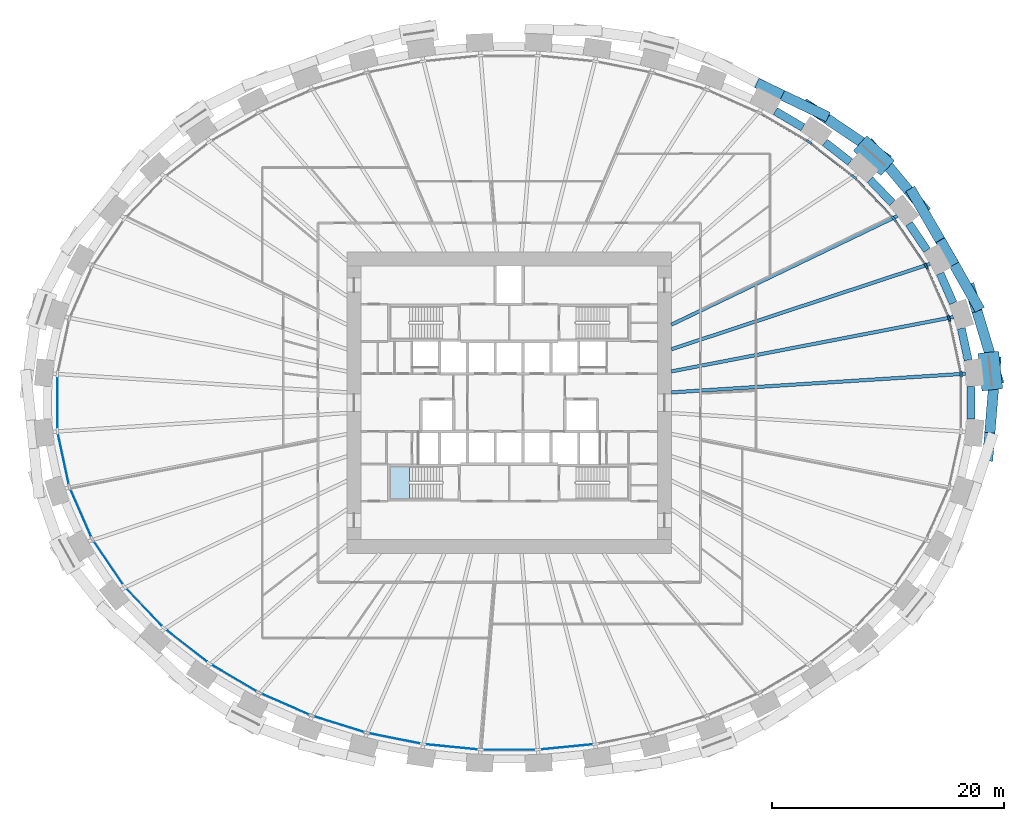
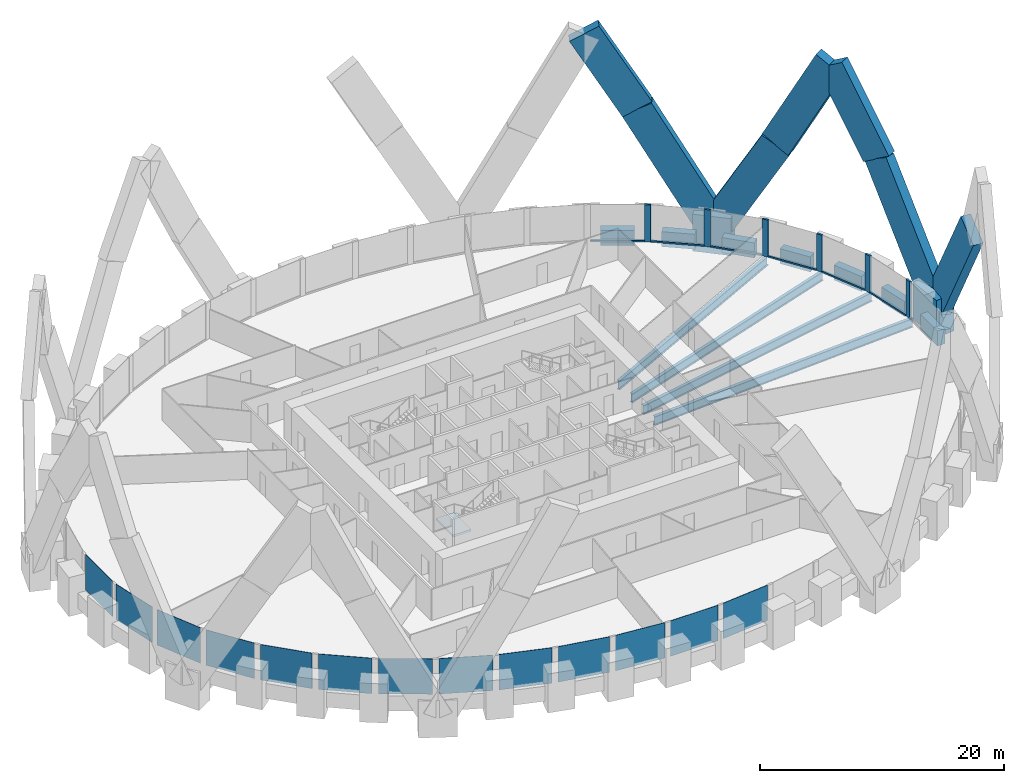
# One storey, part 5 of 13: 21 members, 13 plates, 11 beams, 1 slab, 2 elements without a shape of their own.
"""IFC4 building model written with IfcOpenShell, lengths in metres."""

import ifcopenshell
import ifcopenshell.guid

model = None  # the IFC model being written
_history = None  # IfcOwnerHistory: only IFC2X3 demands one
_inside = {}  # id of a spatial element -> (the spatial element, [elements in it])
_under = {}  # id of a project, library or spatial element -> (it, [spatial elements below it])
_declared = {}  # id of a project -> (the project, [libraries it declares])
_typed = {}  # id of a type object -> (the type object, [elements of that type])
_made_of = {}  # id of a material, layer set ... -> (it, [elements and type objects made of it])


def new_model(schema):
    """Start an empty IFC model of exactly this schema.

    Asked for "IFC4X3", IfcOpenShell would pick the latest addendum, in which some entities
    have other attributes; the version numbers below select the first issue.
    IFC2X3 requires an IfcOwnerHistory on every rooted entity: one is made here for all.
    """
    global model, _history
    if schema == "IFC4X3":
        model = ifcopenshell.file(schema_version=(4, 3, 0, 0))
    else:
        model = ifcopenshell.file(schema=schema)
    _inside.clear()
    _under.clear()
    _declared.clear()
    _typed.clear()
    _made_of.clear()
    _history = None
    if model.schema == "IFC2X3":
        org = make("IfcOrganization", Name="unknown")
        user = make(
            "IfcPersonAndOrganization",
            ThePerson=make("IfcPerson", FamilyName="unknown"),
            TheOrganization=org,
        )
        app = make(
            "IfcApplication",
            ApplicationDeveloper=org,
            Version="unknown",
            ApplicationFullName="unknown",
            ApplicationIdentifier="unknown",
        )
        _history = make(
            "IfcOwnerHistory",
            OwningUser=user,
            OwningApplication=app,
            ChangeAction="ADDED",
            CreationDate=0,
        )
    return model


def make(cls, **values):
    """One entity of the class cls with the attributes given. An attribute that is None is left unset."""
    return model.create_entity(
        cls, **{name: value for name, value in values.items() if value is not None}
    )


def rooted(cls, **values):
    """An entity with a GlobalId (a new one), such as an element, a storey or a relation."""
    return make(cls, GlobalId=ifcopenshell.guid.new(), OwnerHistory=_history, **values)


def si_unit(unit_type, name, prefix=None):
    """IfcSIUnit, for example si_unit("LENGTHUNIT", "METRE", prefix="MILLI")."""
    return make("IfcSIUnit", UnitType=unit_type, Prefix=prefix, Name=name)


def assignment(units):
    """IfcUnitAssignment: the units of a project."""
    return None if units is None else make("IfcUnitAssignment", Units=units)


def point(xyz):
    """IfcCartesianPoint."""
    return None if xyz is None else make("IfcCartesianPoint", Coordinates=xyz)


def direction(xyz):
    """IfcDirection."""
    return None if xyz is None else make("IfcDirection", DirectionRatios=xyz)


def frame(location, z_axis=None, x_axis=None):
    """IfcAxis2Placement3D, a coordinate frame: its origin and axes. An axis left out is left unset."""
    return make(
        "IfcAxis2Placement3D",
        Location=point(location),
        Axis=direction(z_axis),
        RefDirection=direction(x_axis),
    )


def frame_2d(location, x_axis=None):
    """IfcAxis2Placement2D, a coordinate frame in the plane: its origin and x axis."""
    return make(
        "IfcAxis2Placement2D", Location=point(location), RefDirection=direction(x_axis)
    )


def origin():
    """The frame at (0, 0, 0) with its axes left unset."""
    return frame((0.0, 0.0, 0.0))


def origin_2d():
    """The frame at (0, 0) in the plane with its x axis left unset."""
    return frame_2d((0.0, 0.0))


def place(relative_to, where):
    """IfcLocalPlacement: puts the frame where relative to a parent placement (None: the world)."""
    return make(
        "IfcLocalPlacement", PlacementRelTo=relative_to, RelativePlacement=where
    )


def context(
    kind, dimensions, precision=None, world=None, true_north=None, identifier=None
):
    """IfcGeometricRepresentationContext, for example the 3D "Model" context."""
    return make(
        "IfcGeometricRepresentationContext",
        ContextIdentifier=identifier,
        ContextType=kind,
        CoordinateSpaceDimension=dimensions,
        Precision=precision,
        WorldCoordinateSystem=world,
        TrueNorth=true_north,
    )


def subcontext(parent, identifier, kind, view, scale=None):
    """IfcGeometricRepresentationSubContext, for example "Body" below "Model"."""
    return make(
        "IfcGeometricRepresentationSubContext",
        ContextIdentifier=identifier,
        ContextType=kind,
        ParentContext=parent,
        TargetScale=scale,
        TargetView=view,
    )


def project(units=None, contexts=None):
    """IfcProject with its units and contexts."""
    return rooted(
        "IfcProject",
        Name="project",
        RepresentationContexts=contexts,
        UnitsInContext=assignment(units),
    )


def spatial(cls, under=None, at=None, **own):
    """A site, building, storey or space (cls), placed at a placement, below another one or the project."""
    s = rooted(cls, ObjectPlacement=at, **own)
    if under is not None:
        _under.setdefault(under.id(), (under, []))[1].append(s)
    return s


def polyline(points):
    """IfcPolyline through the points."""
    return make("IfcPolyline", Points=[point(p) for p in points])


def profile(cls, at=None, kind="AREA", **sizes):
    """A parametric profile (cls). Its sizes go by their IFC names, for example OverallWidth=200.0."""
    return make(cls, ProfileType=kind, Position=at, **sizes)


def rectangle(**sizes):
    """IfcRectangleProfileDef."""
    return profile("IfcRectangleProfileDef", **sizes)


def i_section(**sizes):
    """IfcIShapeProfileDef."""
    return profile("IfcIShapeProfileDef", **sizes)


def outline(outer, holes=None, kind="AREA"):
    """IfcArbitraryClosedProfileDef: a profile drawn as a closed curve; with holes, ...WithVoids."""
    if holes is None:
        return make("IfcArbitraryClosedProfileDef", ProfileType=kind, OuterCurve=outer)
    return make(
        "IfcArbitraryProfileDefWithVoids",
        ProfileType=kind,
        OuterCurve=outer,
        InnerCurves=holes,
    )


def extrude(swept, where, along, depth):
    """IfcExtrudedAreaSolid: the profile swept, set in the frame where, extruded along a direction by depth."""
    return make(
        "IfcExtrudedAreaSolid",
        SweptArea=swept,
        Position=where,
        ExtrudedDirection=direction(along),
        Depth=depth,
    )


def shape(context_of_items, identifier, shape_type, items):
    """IfcShapeRepresentation: the items that make up one representation, for example the "Body"."""
    return make(
        "IfcShapeRepresentation",
        ContextOfItems=context_of_items,
        RepresentationIdentifier=identifier,
        RepresentationType=shape_type,
        Items=items,
    )


def source(mapping_origin, context_of_items, identifier, shape_type, items):
    """IfcRepresentationMap: a shape defined once, which mapped items show again and again."""
    return make(
        "IfcRepresentationMap",
        MappingOrigin=mapping_origin,
        MappedRepresentation=shape(context_of_items, identifier, shape_type, items),
    )


def transform(
    local_origin,
    x_axis=None,
    y_axis=None,
    z_axis=None,
    scale=None,
    scale2=None,
    scale3=None,
    uniform=True,
):
    """IfcCartesianTransformationOperator3D, or its non-uniform kind. x_axis, y_axis, z_axis: its Axis1, 2, 3."""
    if uniform:
        return make(
            "IfcCartesianTransformationOperator3D",
            Axis1=direction(x_axis),
            Axis2=direction(y_axis),
            LocalOrigin=point(local_origin),
            Scale=scale,
            Axis3=direction(z_axis),
        )
    return make(
        "IfcCartesianTransformationOperator3DnonUniform",
        Axis1=direction(x_axis),
        Axis2=direction(y_axis),
        LocalOrigin=point(local_origin),
        Scale=scale,
        Axis3=direction(z_axis),
        Scale2=scale2,
        Scale3=scale3,
    )


def mapped(mapping_source, mapping_target):
    """IfcMappedItem: shows the shape of a source again, moved by a transform."""
    return make(
        "IfcMappedItem", MappingSource=mapping_source, MappingTarget=mapping_target
    )


def material(Name=None, Category=None):
    """IfcMaterial."""
    return make("IfcMaterial", Name=Name, Category=Category)


def layer(
    of_material, thickness, ventilated=None, Name=None, Category=None, Priority=None
):
    """IfcMaterialLayer: one layer of a wall or slab, of a material (None: an air gap)."""
    return make(
        "IfcMaterialLayer",
        Material=of_material,
        LayerThickness=thickness,
        IsVentilated=ventilated,
        Name=Name,
        Category=Category,
        Priority=Priority,
    )


def layer_set(layers, Name=None):
    """IfcMaterialLayerSet."""
    return make("IfcMaterialLayerSet", MaterialLayers=layers, LayerSetName=Name)


def material_profile(
    of_material, cross_section, Name=None, Category=None, Priority=None
):
    """IfcMaterialProfile: a cross section and its material."""
    return make(
        "IfcMaterialProfile",
        Name=Name,
        Material=of_material,
        Profile=cross_section,
        Priority=Priority,
        Category=Category,
    )


def profile_set(profiles, Name=None, composite=None):
    """IfcMaterialProfileSet."""
    return make(
        "IfcMaterialProfileSet",
        Name=Name,
        MaterialProfiles=profiles,
        CompositeProfile=composite,
    )


def made_of(thing, what):
    """Note that an element or type object is made of a material, layer set ...; save() writes the relation."""
    if what is not None:
        _made_of.setdefault(what.id(), (what, []))[1].append(thing)
    return thing


def type_object(cls, material=None, **own):
    """A type object (cls), such as IfcWallType, which elements share."""
    return made_of(rooted(cls, **own), material)


def element(
    cls,
    number,
    at=None,
    inside=None,
    cuts=None,
    type_object=None,
    material=None,
    context=None,
    identifier="Body",
    shape_type=None,
    held_by="IfcProductDefinitionShape",
    body=None,
    shapes=None,
    **own,
):
    """One element of the class cls, such as IfcWall. Its Tag is "e" and its number.

    at: its placement. inside: the storey or other place that contains it. cuts: it is an
    opening in that element (IfcRelVoidsElement). A single representation is given by context,
    identifier, shape_type and body (its items); several are given by shapes. held_by: the class
    of the entity that holds the representations. save() writes the other relations.
    """
    e = rooted(cls, Tag="e%d" % number, ObjectPlacement=at, **own)
    if body is not None:
        shapes = [shape(context, identifier, shape_type, body)]
    if shapes is not None:
        e.Representation = make(held_by, Representations=shapes)
    if inside is not None:
        _inside.setdefault(inside.id(), (inside, []))[1].append(e)
    if cuts is not None:
        rooted(
            "IfcRelVoidsElement", RelatingBuildingElement=cuts, RelatedOpeningElement=e
        )
    if type_object is not None:
        _typed.setdefault(type_object.id(), (type_object, []))[1].append(e)
    return made_of(e, material)


def aggregate(whole, parts):
    """IfcRelAggregates: a whole, such as a stair, and the parts it consists of."""
    return rooted("IfcRelAggregates", RelatingObject=whole, RelatedObjects=parts)


def save(model, path):
    """Write the relations noted so far, then the file.

    IfcRelAggregates (storeys below a building ...), IfcRelContainedInSpatialStructure (elements
    in a storey), IfcRelDefinesByType, IfcRelAssociatesMaterial and IfcRelDeclares: one each for
    every whole, place, type object, material and project.
    """
    for whole, parts in _under.values():
        aggregate(whole, parts)
    for where, things in _inside.values():
        rooted(
            "IfcRelContainedInSpatialStructure",
            RelatedElements=things,
            RelatingStructure=where,
        )
    for kind, things in _typed.values():
        rooted("IfcRelDefinesByType", RelatedObjects=things, RelatingType=kind)
    for what, things in _made_of.values():
        rooted("IfcRelAssociatesMaterial", RelatedObjects=things, RelatingMaterial=what)
    for by, libraries in _declared.values():
        rooted("IfcRelDeclares", RelatingContext=by, RelatedDefinitions=libraries)
    model.write(path)


model = new_model("IFC4")

# Units and contexts
model_context = context("Model", 3, precision=1e-05, world=origin(), true_north=direction((0.0, 1.0)))
body_context = subcontext(model_context, "Body", "Model", "MODEL_VIEW")
ifc_project = project(units=[si_unit("LENGTHUNIT", "METRE"), si_unit("AREAUNIT", "SQUARE_METRE"), si_unit("VOLUMEUNIT", "CUBIC_METRE"), si_unit("PLANEANGLEUNIT", "RADIAN"), si_unit("MASSUNIT", "GRAM", prefix="KILO")], contexts=[model_context])

# Site, building, storey
site_placement = place(None, origin())
site = spatial("IfcSite", under=ifc_project, at=site_placement, CompositionType="ELEMENT")
building_placement = place(site_placement, origin())
building = spatial("IfcBuilding", under=site, at=building_placement, Name="Embergate Tower", CompositionType="ELEMENT")
storey_placement = place(building_placement, frame((0.0, 0.0, 105.5)))
storey = spatial("IfcBuildingStorey", under=building, at=storey_placement, Name="L22", CompositionType="ELEMENT", Elevation=105.5)

# Beams
ifc_material_1 = material(Name="Concrete C70", Category="concrete")
ifc_material_profile_1 = material_profile(ifc_material_1, rectangle(XDim=0.699951171875, YDim=1.5, at=origin_2d()), Name="RC 700x1500")
ifc_profile_set_1 = profile_set([ifc_material_profile_1], Name="Concrete C70")
beam_type_1 = type_object("IfcBeamType", Name="Spandrel beam RC 700x1500 C70", PredefinedType="BEAM", material=ifc_profile_set_1)
shared_shape_1 = source(origin(), body_context, "Body", "SweptSolid", [
    extrude(rectangle(XDim=0.699951171875, YDim=1.5, at=origin_2d()), origin(), (0.0, 0.0, 1.0), 2.789306640625),
])
beam_1_placement = place(storey_placement, frame((39.60693359375, 3.68310546875, 0.0), z_axis=(-0.210419662527, 0.977611152566, 0.0), x_axis=(-0.977611152566, -0.210419662527, 0.0)))
element("IfcBeam", 1, at=beam_1_placement, inside=storey, type_object=beam_type_1, Name="SPN-L22-00", PredefinedType="BEAM", context=body_context, shape_type="MappedRepresentation", body=[
    mapped(shared_shape_1, transform((0.0, 0.0, 0.0))),
])
shared_shape_2 = source(origin(), body_context, "Body", "SweptSolid", [
    extrude(rectangle(XDim=0.699951171875, YDim=1.5, at=origin_2d()), origin(), (0.0, 0.0, 1.0), 2.78564453125),
])
beam_2_placement = place(storey_placement, frame((38.31201171875, 8.597900390625, 0.0), z_axis=(-0.401669232295, 0.915784815242, 0.0), x_axis=(-0.915784815242, -0.401669232295, 0.0)))
element("IfcBeam", 2, at=beam_2_placement, inside=storey, type_object=beam_type_1, Name="SPN-L22-01", PredefinedType="BEAM", context=body_context, shape_type="MappedRepresentation", body=[
    mapped(shared_shape_2, transform((0.0, 0.0, 0.0))),
])
shared_shape_3 = source(origin(), body_context, "Body", "SweptSolid", [
    extrude(rectangle(XDim=0.699951171875, YDim=1.5, at=origin_2d()), origin(), (0.0, 0.0, 1.0), 2.775634765625),
])
beam_3_placement = place(storey_placement, frame((36.06201171875, 13.152099609375, 0.0), z_axis=(-0.562430313872, 0.826844690397, 0.0), x_axis=(-0.826844690397, -0.562430313872, 0.0)))
element("IfcBeam", 3, at=beam_3_placement, inside=storey, type_object=beam_type_1, Name="SPN-L22-02", PredefinedType="BEAM", context=body_context, shape_type="MappedRepresentation", body=[
    mapped(shared_shape_3, transform((0.0, 0.0, 0.0))),
])
shared_shape_4 = source(origin(), body_context, "Body", "SweptSolid", [
    extrude(rectangle(XDim=0.699951171875, YDim=1.5, at=origin_2d()), origin(), (0.0, 0.0, 1.0), 2.770263671875),
])
beam_4_placement = place(storey_placement, frame((33.055908203125, 17.237060546875, 0.0), z_axis=(-0.690119345663, 0.723695577395, 0.0), x_axis=(-0.723695577395, -0.690119345663, 0.0)))
element("IfcBeam", 4, at=beam_4_placement, inside=storey, type_object=beam_type_1, Name="SPN-L22-03", PredefinedType="BEAM", context=body_context, shape_type="MappedRepresentation", body=[
    mapped(shared_shape_4, transform((0.0, 0.0, 0.0))),
])
shared_shape_5 = source(origin(), body_context, "Body", "SweptSolid", [
    extrude(rectangle(XDim=0.699951171875, YDim=1.5, at=origin_2d()), origin(), (0.0, 0.0, 1.0), 2.762939453125),
])
beam_5_placement = place(storey_placement, frame((29.426025390625, 20.77099609375, 0.0), z_axis=(-0.788304284462, 0.615285588242, 0.0), x_axis=(-0.615285588242, -0.788304284462, 0.0)))
element("IfcBeam", 5, at=beam_5_placement, inside=storey, type_object=beam_type_1, Name="SPN-L22-04", PredefinedType="BEAM", context=body_context, shape_type="MappedRepresentation", body=[
    mapped(shared_shape_5, transform((0.0, 0.0, 0.0))),
])
shared_shape_6 = source(origin(), body_context, "Body", "SweptSolid", [
    extrude(rectangle(XDim=0.699951171875, YDim=1.5, at=origin_2d()), origin(), (0.0, 0.0, 1.0), 2.758544921875),
])
beam_6_placement = place(storey_placement, frame((25.345947265625, 23.763916015625, 0.0), z_axis=(-0.862027482261, 0.506861539108, 0.0), x_axis=(-0.506861539108, -0.862027482261, 0.0)))
element("IfcBeam", 6, at=beam_6_placement, inside=storey, type_object=beam_type_1, Name="SPN-L22-05", PredefinedType="BEAM", context=body_context, shape_type="MappedRepresentation", body=[
    mapped(shared_shape_6, transform((0.0, 0.0, 0.0))),
])
shared_shape_7 = source(origin(), body_context, "Body", "SweptSolid", [
    extrude(rectangle(XDim=0.699951171875, YDim=1.5, at=origin_2d()), origin(), (0.0, 0.0, 1.0), 2.7919921875),
])
beam_7_placement = place(storey_placement, frame((39.85009765625, -1.39599609375, 0.0), z_axis=(0.0, 1.0, 0.0), x_axis=(-1.0, 0.0, 0.0)))
element("IfcBeam", 7, at=beam_7_placement, inside=storey, type_object=beam_type_1, Name="SPN-L22-43", PredefinedType="BEAM", context=body_context, shape_type="MappedRepresentation", body=[
    mapped(shared_shape_7, transform((0.0, 0.0, 0.0))),
])
ifc_material_2 = material(Name="Steel Q355B", Category="steel")
ifc_material_profile_2 = material_profile(ifc_material_2, i_section(OverallWidth=0.300048828125, OverallDepth=0.89990234375, WebThickness=0.01611328125, FlangeThickness=0.028076171875, FilletRadius=0.028076171875, at=origin_2d()), Name="HN 900x300x16x28")
ifc_profile_set_2 = profile_set([ifc_material_profile_2], Name="Steel Q355 grade B")
beam_type_2 = type_object("IfcBeamType", Name="Radial girder HN 900x300x16x28", PredefinedType="BEAM", material=ifc_profile_set_2)
shared_shape_8 = source(origin(), body_context, "Body", "SweptSolid", [
    extrude(i_section(OverallWidth=0.300048828125, OverallDepth=0.89990234375, WebThickness=0.01611328125, FlangeThickness=0.028076171875, FilletRadius=0.028076171875, at=origin_2d()), origin(), (0.0, 0.0, 1.0), 25.43115234375),
])
beam_8_placement = place(storey_placement, frame((39.3798828125, 2.501953125, -0.64990234375), z_axis=(-0.997986432318, -0.063427761344, 0.0), x_axis=(0.063427761344, -0.997986432318, 0.0)))
element("IfcBeam", 8, at=beam_8_placement, inside=storey, type_object=beam_type_2, Name="GIR-L22-00", PredefinedType="BEAM", context=body_context, shape_type="MappedRepresentation", body=[
    mapped(shared_shape_8, transform((0.0, 0.0, 0.0))),
])
shared_shape_9 = source(origin(), body_context, "Body", "SweptSolid", [
    extrude(i_section(OverallWidth=0.300048828125, OverallDepth=0.89990234375, WebThickness=0.01611328125, FlangeThickness=0.028076171875, FilletRadius=0.028076171875, at=origin_2d()), origin(), (0.0, 0.0, 1.0), 24.775390625),
])
beam_9_placement = place(storey_placement, frame((38.326904296875, 7.39404296875, -0.64990234375), z_axis=(-0.981895013442, -0.189425929, 0.0), x_axis=(0.189425929, -0.981895013442, 0.0)))
element("IfcBeam", 9, at=beam_9_placement, inside=storey, type_object=beam_type_2, Name="GIR-L22-01", PredefinedType="BEAM", context=body_context, shape_type="MappedRepresentation", body=[
    mapped(shared_shape_9, transform((0.0, 0.0, 0.0))),
])
shared_shape_10 = source(origin(), body_context, "Body", "SweptSolid", [
    extrude(i_section(OverallWidth=0.300048828125, OverallDepth=0.89990234375, WebThickness=0.01611328125, FlangeThickness=0.028076171875, FilletRadius=0.028076171875, at=origin_2d()), origin(), (0.0, 0.0, 1.0), 23.499267578125),
])
beam_10_placement = place(storey_placement, frame((36.31689453125, 11.97705078125, -0.64990234375), z_axis=(-0.949685213061, -0.31320599626, 0.0), x_axis=(0.31320599626, -0.949685213061, 0.0)))
element("IfcBeam", 10, at=beam_10_placement, inside=storey, type_object=beam_type_2, Name="GIR-L22-02", PredefinedType="BEAM", context=body_context, shape_type="MappedRepresentation", body=[
    mapped(shared_shape_10, transform((0.0, 0.0, 0.0))),
])
shared_shape_11 = source(origin(), body_context, "Body", "SweptSolid", [
    extrude(i_section(OverallWidth=0.300048828125, OverallDepth=0.89990234375, WebThickness=0.01611328125, FlangeThickness=0.028076171875, FilletRadius=0.028076171875, at=origin_2d()), origin(), (0.0, 0.0, 1.0), 21.641357421875),
])
beam_11_placement = place(storey_placement, frame((33.501953125, 16.116943359375, -0.64990234375), z_axis=(-0.901145989674, -0.433515749765, 0.0), x_axis=(0.433515749765, -0.901145989674, 0.0)))
element("IfcBeam", 11, at=beam_11_placement, inside=storey, type_object=beam_type_2, Name="GIR-L22-03", PredefinedType="BEAM", context=body_context, shape_type="MappedRepresentation", body=[
    mapped(shared_shape_11, transform((0.0, 0.0, 0.0))),
])

# Members
ifc_material_profile_3 = material_profile(ifc_material_1, rectangle(XDim=1.800048828125, YDim=3.25, at=origin_2d()), Name="RC 1800x3250")
ifc_profile_set_3 = profile_set([ifc_material_profile_3], Name="Concrete C70")
member_type_1 = type_object("IfcMemberType", Name="Lattice node block RC 1800x3250", PredefinedType="POST", material=ifc_profile_set_3)
shared_shape_12 = source(origin(), body_context, "Body", "SweptSolid", [
    extrude(rectangle(XDim=1.800048828125, YDim=3.25, at=origin_2d()), origin(), (0.0, 0.0, 1.0), 3.75),
])
member_1_placement = place(storey_placement, frame((41.51806640625, 2.73095703125, -1.875), z_axis=(0.0, 0.0, 1.0), x_axis=(0.99428589498, 0.106749983816, 0.0)))
element("IfcMember", 12, at=member_1_placement, inside=storey, type_object=member_type_1, Name="NOD-L22-00", PredefinedType="POST", context=body_context, shape_type="MappedRepresentation", body=[
    mapped(shared_shape_12, transform((0.0, 0.0, 0.0))),
])
ifc_material_profile_4 = material_profile(ifc_material_1, rectangle(XDim=1.75, YDim=3.199951171875, at=origin_2d()), Name="RC 1750x3200")
ifc_profile_set_4 = profile_set([ifc_material_profile_4], Name="Concrete C70")
member_type_2 = type_object("IfcMemberType", Name="Lattice node block RC 1750x3200", PredefinedType="POST", material=ifc_profile_set_4)
shared_shape_13 = source(origin(), body_context, "Body", "SweptSolid", [
    extrude(rectangle(XDim=1.75, YDim=3.199951171875, at=origin_2d()), origin(), (0.0, 0.0, 1.0), 3.7001953125),
])
member_2_placement = place(storey_placement, frame((31.468017578125, 21.320068359375, -1.85009765625), z_axis=(0.0, 0.0, 1.0), x_axis=(0.669221393633, 0.743063070206, 0.0)))
element("IfcMember", 13, at=member_2_placement, inside=storey, type_object=member_type_2, Name="NOD-L22-04", PredefinedType="POST", context=body_context, shape_type="MappedRepresentation", body=[
    mapped(shared_shape_13, transform((0.0, 0.0, 0.0))),
])
ifc_material_profile_5 = material_profile(ifc_material_1, rectangle(XDim=0.89990234375, YDim=2.800048828125, at=origin_2d()), Name="RC 900x2800")
ifc_profile_set_5 = profile_set([ifc_material_profile_5], Name="Concrete C70")
member_type_3 = type_object("IfcMemberType", Name="Lattice diagonal terracotta-faced RC 900x2800", PredefinedType="BRACE", material=ifc_profile_set_5)
shared_shape_14 = source(origin(), body_context, "Body", "SweptSolid", [
    extrude(rectangle(XDim=0.89990234375, YDim=2.800048828125, at=origin_2d()), origin(), (0.0, 0.0, 1.0), 13.423095703125),
])
member_3_placement = place(storey_placement, frame((41.9169921875, 2.77392578125, 0.0), z_axis=(-0.141540865362, 0.469274719508, 0.871634912715), x_axis=(-0.957399353067, -0.28876717048, 0.0)))
element("IfcMember", 14, at=member_3_placement, inside=storey, type_object=member_type_3, Name="BRC-L22-00-02-S00", PredefinedType="BRACE", context=body_context, shape_type="MappedRepresentation", body=[
    mapped(shared_shape_14, transform((0.0, 0.0, 0.0))),
])
shared_shape_15 = source(origin(), body_context, "Body", "SweptSolid", [
    extrude(rectangle(XDim=0.89990234375, YDim=2.800048828125, at=origin_2d()), origin(), (0.0, 0.0, 1.0), 8.994384765625),
])
member_4_placement = place(storey_placement, frame((40.01708984375, 9.072998046875, 11.699951171875), z_axis=(-0.245734713391, 0.433055519434, 0.867223943236), x_axis=(-0.869732083516, -0.493524166483, 0.0)))
element("IfcMember", 15, at=member_4_placement, inside=storey, type_object=member_type_3, Name="BRC-L22-00-02-S01", PredefinedType="BRACE", context=body_context, shape_type="MappedRepresentation", body=[
    mapped(shared_shape_15, transform((0.0, 0.0, 0.0))),
])
shared_shape_16 = source(origin(), body_context, "Body", "SweptSolid", [
    extrude(rectangle(XDim=0.89990234375, YDim=2.800048828125, at=origin_2d()), origin(), (0.0, 0.0, 1.0), 13.43701171875),
])
member_5_placement = place(storey_placement, frame((41.9169921875, 2.77392578125, 0.0), z_axis=(-0.040117655222, -0.49013309206, 0.870723909059), x_axis=(0.996666982925, -0.081577724581, 0.0)))
element("IfcMember", 16, at=member_5_placement, inside=storey, type_object=member_type_3, Name="BRC-L22-00-42-S00", PredefinedType="BRACE", context=body_context, shape_type="MappedRepresentation", body=[
    mapped(shared_shape_16, transform((0.0, 0.0, 0.0))),
])
shared_shape_17 = source(origin(), body_context, "Body", "SweptSolid", [
    extrude(rectangle(XDim=0.89990234375, YDim=2.800048828125, at=origin_2d()), origin(), (0.0, 0.0, 1.0), 11.18603515625),
])
member_6_placement = place(storey_placement, frame((31.719970703125, 21.60009765625, 0.0), z_axis=(0.314334026367, -0.376100815328, 0.871631973127), x_axis=(0.767300734971, 0.641287441101, 0.0)))
element("IfcMember", 17, at=member_6_placement, inside=storey, type_object=member_type_3, Name="BRC-L22-04-02-S00", PredefinedType="BRACE", context=body_context, shape_type="MappedRepresentation", body=[
    mapped(shared_shape_17, transform((0.0, 0.0, 0.0))),
])
shared_shape_18 = source(origin(), body_context, "Body", "SweptSolid", [
    extrude(rectangle(XDim=0.89990234375, YDim=2.800048828125, at=origin_2d()), origin(), (0.0, 0.0, 1.0), 11.011474609375),
])
member_7_placement = place(storey_placement, frame((35.236083984375, 17.39306640625, 9.75), z_axis=(0.233465622441, -0.401857968351, 0.885439990294), x_axis=(0.864668636216, 0.502342661482, 0.0)))
element("IfcMember", 18, at=member_7_placement, inside=storey, type_object=member_type_3, Name="BRC-L22-04-02-S01", PredefinedType="BRACE", context=body_context, shape_type="MappedRepresentation", body=[
    mapped(shared_shape_18, transform((0.0, 0.0, 0.0))),
])
shared_shape_19 = source(origin(), body_context, "Body", "SweptSolid", [
    extrude(rectangle(XDim=0.89990234375, YDim=2.800048828125, at=origin_2d()), origin(), (0.0, 0.0, 1.0), 13.3349609375),
])
member_8_placement = place(storey_placement, frame((31.719970703125, 21.60009765625, 0.0), z_axis=(-0.397530900382, 0.268602949363, 0.877394802147), x_axis=(-0.55985882748, -0.828588011797, 0.0)))
element("IfcMember", 19, at=member_8_placement, inside=storey, type_object=member_type_3, Name="BRC-L22-04-06-S00", PredefinedType="BRACE", context=body_context, shape_type="MappedRepresentation", body=[
    mapped(shared_shape_19, transform((0.0, 0.0, 0.0))),
])
shared_shape_20 = source(origin(), body_context, "Body", "SweptSolid", [
    extrude(rectangle(XDim=0.89990234375, YDim=2.800048828125, at=origin_2d()), origin(), (0.0, 0.0, 1.0), 8.942138671875),
])
member_9_placement = place(storey_placement, frame((26.4189453125, 25.181884765625, 11.699951171875), z_axis=(-0.441287119152, 0.210691870228, 0.872281270171), x_axis=(-0.430858769138, -0.902419370945, 0.0)))
element("IfcMember", 20, at=member_9_placement, inside=storey, type_object=member_type_3, Name="BRC-L22-04-06-S01", PredefinedType="BRACE", context=body_context, shape_type="MappedRepresentation", body=[
    mapped(shared_shape_20, transform((0.0, 0.0, 0.0))),
])

# Curtain wall, members, plates
ifc_material_3 = material(Name="Aluminium and glass", Category="aluminium")
curtain_wall_type = type_object("IfcCurtainWallType", Name="Recessed office glazing", PredefinedType="NOTDEFINED", material=ifc_material_3)
curtain_wall_placement = place(storey_placement, origin())
curtain_wall = element("IfcCurtainWall", 21, at=curtain_wall_placement, inside=storey, type_object=curtain_wall_type, Name="Recessed office glazing ring", ObjectType="RECESSED OFFICE GLAZING", PredefinedType="USERDEFINED")
ifc_material_4 = material(Name="Aluminium, thermally broken", Category="aluminium")
ifc_material_profile_6 = material_profile(ifc_material_4, rectangle(XDim=0.179931640625, YDim=0.52001953125, at=origin_2d()), Name="AL 520x180")
ifc_profile_set_6 = profile_set([ifc_material_profile_6], Name="Aluminium, thermally broken")
member_type_4 = type_object("IfcMemberType", Name="Office mullion", PredefinedType="MULLION", material=ifc_profile_set_6)
shared_shape_21 = source(origin(), body_context, "Body", "SweptSolid", [
    extrude(rectangle(XDim=0.179931640625, YDim=0.52001953125, at=origin_2d()), origin(), (0.0, 0.0, 1.0), 3.699951171875),
])
member_10_placement = place(storey_placement, frame((38.9921875, 2.4599609375, 0.0), z_axis=(0.0, 0.0, 1.0), x_axis=(-0.994385324123, -0.105819786286, 0.0)))
member_10 = element("IfcMember", 22, at=member_10_placement, type_object=member_type_4, Name="CW mullion 1", PredefinedType="MULLION", context=body_context, shape_type="MappedRepresentation", body=[
    mapped(shared_shape_21, transform((0.0, 0.0, 0.0))),
])
member_11_placement = place(storey_placement, frame((37.95654296875, 7.272705078125, 0.0), z_axis=(0.0, 0.0, 1.0), x_axis=(-0.951501556643, -0.307643930065, 0.0)))
member_11 = element("IfcMember", 23, at=member_11_placement, type_object=member_type_4, Name="CW mullion 2", PredefinedType="MULLION", context=body_context, shape_type="MappedRepresentation", body=[
    mapped(shared_shape_21, transform((0.0, 0.0, 0.0))),
])
member_12_placement = place(storey_placement, frame((35.9765625, 11.787353515625, 0.0), z_axis=(0.0, 0.0, 1.0), x_axis=(-0.875009500255, -0.484105747191, 0.0)))
member_12 = element("IfcMember", 24, at=member_12_placement, type_object=member_type_4, Name="CW mullion 3", PredefinedType="MULLION", context=body_context, shape_type="MappedRepresentation", body=[
    mapped(shared_shape_21, transform((0.0, 0.0, 0.0))),
])
member_13_placement = place(storey_placement, frame((33.19921875, 15.87109375, 0.0), z_axis=(0.0, 0.0, 1.0), x_axis=(-0.777883532271, -0.628408474022, 0.0)))
member_13 = element("IfcMember", 25, at=member_13_placement, type_object=member_type_4, Name="CW mullion 4", PredefinedType="MULLION", context=body_context, shape_type="MappedRepresentation", body=[
    mapped(shared_shape_21, transform((0.0, 0.0, 0.0))),
])
member_14_placement = place(storey_placement, frame((29.784912109375, 19.451416015625, 0.0), z_axis=(0.0, 0.0, 1.0), x_axis=(-0.671238177437, -0.741241734626, 0.0)))
member_14 = element("IfcMember", 26, at=member_14_placement, type_object=member_type_4, Name="CW mullion 5", PredefinedType="MULLION", context=body_context, shape_type="MappedRepresentation", body=[
    mapped(shared_shape_21, transform((0.0, 0.0, 0.0))),
])
member_15_placement = place(storey_placement, frame((25.87890625, 22.5, 0.0), z_axis=(0.0, 0.0, 1.0), x_axis=(-0.562227722082, -0.826982459622, 0.0)))
member_15 = element("IfcMember", 27, at=member_15_placement, type_object=member_type_4, Name="CW mullion 6", PredefinedType="MULLION", context=body_context, shape_type="MappedRepresentation", body=[
    mapped(shared_shape_21, transform((0.0, 0.0, 0.0))),
])
ifc_material_profile_7 = material_profile(ifc_material_4, rectangle(XDim=0.179931640625, YDim=0.14990234375, at=origin_2d()), Name="AL 150x180")
ifc_profile_set_7 = profile_set([ifc_material_profile_7], Name="Aluminium, thermally broken")
member_type_5 = type_object("IfcMemberType", Name="Office sill transom", PredefinedType="USERDEFINED", material=ifc_profile_set_7)
shared_shape_22 = source(origin(), body_context, "Body", "SweptSolid", [
    extrude(rectangle(XDim=0.179931640625, YDim=0.14990234375, at=origin_2d()), origin(), (0.0, 0.0, 1.0), 4.40283203125),
])
member_16_placement = place(storey_placement, frame((38.9375, 2.714111328125, 0.074951171875), z_axis=(-0.210384862648, 0.977618642196, 0.0), x_axis=(-0.977618642196, -0.210384862648, 0.0)))
member_16 = element("IfcMember", 28, at=member_16_placement, type_object=member_type_5, Name="CW transom 1.1", ObjectType="TRANSOM", PredefinedType="USERDEFINED", context=body_context, shape_type="MappedRepresentation", body=[
    mapped(shared_shape_22, transform((0.0, 0.0, 0.0))),
])
shared_shape_23 = source(origin(), body_context, "Body", "SweptSolid", [
    extrude(rectangle(XDim=0.179931640625, YDim=0.14990234375, at=origin_2d()), origin(), (0.0, 0.0, 1.0), 4.409912109375),
])
member_17_placement = place(storey_placement, frame((37.85205078125, 7.5107421875, 0.074951171875), z_axis=(-0.401649276601, 0.915793567681, 0.0), x_axis=(-0.915793567681, -0.401649276601, 0.0)))
member_17 = element("IfcMember", 29, at=member_17_placement, type_object=member_type_5, Name="CW transom 2.1", ObjectType="TRANSOM", PredefinedType="USERDEFINED", context=body_context, shape_type="MappedRepresentation", body=[
    mapped(shared_shape_23, transform((0.0, 0.0, 0.0))),
])
shared_shape_24 = source(origin(), body_context, "Body", "SweptSolid", [
    extrude(rectangle(XDim=0.179931640625, YDim=0.14990234375, at=origin_2d()), origin(), (0.0, 0.0, 1.0), 4.41845703125),
])
member_18_placement = place(storey_placement, frame((35.830078125, 12.002197265625, 0.074951171875), z_axis=(-0.562314555327, 0.826923418986, 0.0), x_axis=(-0.826923418986, -0.562314555327, 0.0)))
member_18 = element("IfcMember", 30, at=member_18_placement, type_object=member_type_5, Name="CW transom 3.1", ObjectType="TRANSOM", PredefinedType="USERDEFINED", context=body_context, shape_type="MappedRepresentation", body=[
    mapped(shared_shape_24, transform((0.0, 0.0, 0.0))),
])
shared_shape_25 = source(origin(), body_context, "Body", "SweptSolid", [
    extrude(rectangle(XDim=0.179931640625, YDim=0.14990234375, at=origin_2d()), origin(), (0.0, 0.0, 1.0), 4.42724609375),
])
member_19_placement = place(storey_placement, frame((33.019775390625, 16.059326171875, 0.074951171875), z_axis=(-0.690143848167, 0.723672210906, 0.0), x_axis=(-0.723672210906, -0.690143848167, 0.0)))
member_19 = element("IfcMember", 31, at=member_19_placement, type_object=member_type_5, Name="CW transom 4.1", ObjectType="TRANSOM", PredefinedType="USERDEFINED", context=body_context, shape_type="MappedRepresentation", body=[
    mapped(shared_shape_25, transform((0.0, 0.0, 0.0))),
])
shared_shape_26 = source(origin(), body_context, "Body", "SweptSolid", [
    extrude(rectangle(XDim=0.179931640625, YDim=0.14990234375, at=origin_2d()), origin(), (0.0, 0.0, 1.0), 4.434814453125),
])
member_20_placement = place(storey_placement, frame((29.580078125, 19.611572265625, 0.074951171875), z_axis=(-0.788331413259, 0.615250829231, 0.0), x_axis=(-0.615250829231, -0.788331413259, 0.0)))
member_20 = element("IfcMember", 32, at=member_20_placement, type_object=member_type_5, Name="CW transom 5.1", ObjectType="TRANSOM", PredefinedType="USERDEFINED", context=body_context, shape_type="MappedRepresentation", body=[
    mapped(shared_shape_26, transform((0.0, 0.0, 0.0))),
])
shared_shape_27 = source(origin(), body_context, "Body", "SweptSolid", [
    extrude(rectangle(XDim=0.179931640625, YDim=0.14990234375, at=origin_2d()), origin(), (0.0, 0.0, 1.0), 4.441162109375),
])
member_21_placement = place(storey_placement, frame((25.65478515625, 22.6318359375, 0.074951171875), z_axis=(-0.862033122062, 0.506851947287, 0.0), x_axis=(-0.506851947287, -0.862033122062, 0.0)))
member_21 = element("IfcMember", 33, at=member_21_placement, type_object=member_type_5, Name="CW transom 6.1", ObjectType="TRANSOM", PredefinedType="USERDEFINED", context=body_context, shape_type="MappedRepresentation", body=[
    mapped(shared_shape_27, transform((0.0, 0.0, 0.0))),
])
ifc_material_5 = material(Name="Triple glazing, low-emissivity coating", Category="glass")
ifc_layer_1 = layer(ifc_material_5, 0.035888671875)
ifc_layer_set_1 = layer_set([ifc_layer_1], Name="Triple glazing, low-emissivity coating")
plate_type = type_object("IfcPlateType", Name="Office glazing unit", PredefinedType="CURTAIN_PANEL", material=ifc_layer_set_1)
shared_shape_28 = source(origin(), body_context, "Body", "SweptSolid", [
    extrude(rectangle(XDim=4.40283203125, YDim=0.035888671875, at=origin_2d()), origin(), (0.0, 0.0, 1.0), 3.550048828125),
])
plate_1_placement = place(storey_placement, frame((-38.474365234375, -4.8662109375, 0.14990234375), z_axis=(0.0, 0.0, 1.0), x_axis=(0.210391566126, -0.977617199574, 0.0)))
plate_1 = element("IfcPlate", 34, at=plate_1_placement, type_object=plate_type, Name="CW panel 23.1", PredefinedType="CURTAIN_PANEL", context=body_context, shape_type="MappedRepresentation", body=[
    mapped(shared_shape_28, transform((0.0, 0.0, 0.0))),
])
shared_shape_29 = source(origin(), body_context, "Body", "SweptSolid", [
    extrude(rectangle(XDim=4.409912109375, YDim=0.035888671875, at=origin_2d()), origin(), (0.0, 0.0, 1.0), 3.550048828125),
])
plate_2_placement = place(storey_placement, frame((-36.966552734375, -9.52978515625, 0.14990234375), z_axis=(0.0, 0.0, 1.0), x_axis=(0.401644109346, -0.915795833921, 0.0)))
plate_2 = element("IfcPlate", 35, at=plate_2_placement, type_object=plate_type, Name="CW panel 24.1", PredefinedType="CURTAIN_PANEL", context=body_context, shape_type="MappedRepresentation", body=[
    mapped(shared_shape_29, transform((0.0, 0.0, 0.0))),
])
shared_shape_30 = source(origin(), body_context, "Body", "SweptSolid", [
    extrude(rectangle(XDim=4.418701171875, YDim=0.035888671875, at=origin_2d()), origin(), (0.0, 0.0, 1.0), 3.550048828125),
])
plate_3_placement = place(storey_placement, frame((-34.587890625, -13.8291015625, 0.14990234375), z_axis=(0.0, 0.0, 1.0), x_axis=(0.562331639324, -0.826911801473, 0.0)))
plate_3 = element("IfcPlate", 36, at=plate_3_placement, type_object=plate_type, Name="CW panel 25.1", PredefinedType="CURTAIN_PANEL", context=body_context, shape_type="MappedRepresentation", body=[
    mapped(shared_shape_30, transform((0.0, 0.0, 0.0))),
])
shared_shape_31 = source(origin(), body_context, "Body", "SweptSolid", [
    extrude(rectangle(XDim=4.427490234375, YDim=0.035888671875, at=origin_2d()), origin(), (0.0, 0.0, 1.0), 3.550048828125),
])
plate_4_placement = place(storey_placement, frame((-31.4921875, -17.661376953125, 0.14990234375), z_axis=(0.0, 0.0, 1.0), x_axis=(0.690124942972, -0.723690239735, 0.0)))
plate_4 = element("IfcPlate", 37, at=plate_4_placement, type_object=plate_type, Name="CW panel 26.1", PredefinedType="CURTAIN_PANEL", context=body_context, shape_type="MappedRepresentation", body=[
    mapped(shared_shape_31, transform((0.0, 0.0, 0.0))),
])
shared_shape_32 = source(origin(), body_context, "Body", "SweptSolid", [
    extrude(rectangle(XDim=4.434814453125, YDim=0.035888671875, at=origin_2d()), origin(), (0.0, 0.0, 1.0), 3.550048828125),
])
plate_5_placement = place(storey_placement, frame((-27.831787109375, -20.975830078125, 0.14990234375), z_axis=(0.0, 0.0, 1.0), x_axis=(0.788312602312, -0.615274931259, 0.0)))
plate_5 = element("IfcPlate", 38, at=plate_5_placement, type_object=plate_type, Name="CW panel 27.1", PredefinedType="CURTAIN_PANEL", context=body_context, shape_type="MappedRepresentation", body=[
    mapped(shared_shape_32, transform((0.0, 0.0, 0.0))),
])
shared_shape_33 = source(origin(), body_context, "Body", "SweptSolid", [
    extrude(rectangle(XDim=4.44091796875, YDim=0.035888671875, at=origin_2d()), origin(), (0.0, 0.0, 1.0), 3.550048828125),
])
plate_6_placement = place(storey_placement, frame((-23.740478515625, -23.75732421875, 0.14990234375), z_axis=(0.0, 0.0, 1.0), x_axis=(0.86204786038, -0.506826880122, 0.0)))
plate_6 = element("IfcPlate", 39, at=plate_6_placement, type_object=plate_type, Name="CW panel 28.1", PredefinedType="CURTAIN_PANEL", context=body_context, shape_type="MappedRepresentation", body=[
    mapped(shared_shape_33, transform((0.0, 0.0, 0.0))),
])
shared_shape_34 = source(origin(), body_context, "Body", "SweptSolid", [
    extrude(rectangle(XDim=4.445556640625, YDim=0.035888671875, at=origin_2d()), origin(), (0.0, 0.0, 1.0), 3.550048828125),
])
plate_7_placement = place(storey_placement, frame((-19.32763671875, -26.00927734375, 0.14990234375), z_axis=(0.0, 0.0, 1.0), x_axis=(0.916232715476, -0.400646491426, 0.0)))
plate_7 = element("IfcPlate", 40, at=plate_7_placement, type_object=plate_type, Name="CW panel 29.1", PredefinedType="CURTAIN_PANEL", context=body_context, shape_type="MappedRepresentation", body=[
    mapped(shared_shape_34, transform((0.0, 0.0, 0.0))),
])
shared_shape_35 = source(origin(), body_context, "Body", "SweptSolid", [
    extrude(rectangle(XDim=4.44873046875, YDim=0.035888671875, at=origin_2d()), origin(), (0.0, 0.0, 1.0), 3.550048828125),
])
plate_8_placement = place(storey_placement, frame((-14.680908203125, -27.74267578125, 0.14990234375), z_axis=(0.0, 0.0, 1.0), x_axis=(0.954770141339, -0.297344879236, 0.0)))
plate_8 = element("IfcPlate", 41, at=plate_8_placement, type_object=plate_type, Name="CW panel 30.1", PredefinedType="CURTAIN_PANEL", context=body_context, shape_type="MappedRepresentation", body=[
    mapped(shared_shape_35, transform((0.0, 0.0, 0.0))),
])
shared_shape_36 = source(origin(), body_context, "Body", "SweptSolid", [
    extrude(rectangle(XDim=4.450927734375, YDim=0.035888671875, at=origin_2d()), origin(), (0.0, 0.0, 1.0), 3.550048828125),
])
plate_9_placement = place(storey_placement, frame((-9.871826171875, -28.97021484375, 0.14990234375), z_axis=(0.0, 0.0, 1.0), x_axis=(0.980474877795, -0.196644384646, 0.0)))
plate_9 = element("IfcPlate", 42, at=plate_9_placement, type_object=plate_type, Name="CW panel 31.1", PredefinedType="CURTAIN_PANEL", context=body_context, shape_type="MappedRepresentation", body=[
    mapped(shared_shape_36, transform((0.0, 0.0, 0.0))),
])
shared_shape_37 = source(origin(), body_context, "Body", "SweptSolid", [
    extrude(rectangle(XDim=4.452392578125, YDim=0.035888671875, at=origin_2d()), origin(), (0.0, 0.0, 1.0), 3.550048828125),
])
plate_10_placement = place(storey_placement, frame((-4.960693359375, -29.7021484375, 0.14990234375), z_axis=(0.0, 0.0, 1.0), x_axis=(0.995203014042, -0.097831287645, 0.0)))
plate_10 = element("IfcPlate", 43, at=plate_10_placement, type_object=plate_type, Name="CW panel 32.1", PredefinedType="CURTAIN_PANEL", context=body_context, shape_type="MappedRepresentation", body=[
    mapped(shared_shape_37, transform((0.0, 0.0, 0.0))),
])
plate_11_placement = place(storey_placement, frame((4.960693359375, -29.7021484375, 0.14990234375), z_axis=(0.0, 0.0, 1.0), x_axis=(0.995203014042, 0.097831287645, 0.0)))
plate_11 = element("IfcPlate", 44, at=plate_11_placement, type_object=plate_type, Name="CW panel 34.1", PredefinedType="CURTAIN_PANEL", context=body_context, shape_type="MappedRepresentation", body=[
    mapped(shared_shape_37, transform((0.0, 0.0, 0.0))),
])
shared_shape_38 = source(origin(), body_context, "Body", "SweptSolid", [
    extrude(rectangle(XDim=4.45263671875, YDim=0.035888671875, at=origin_2d()), origin(), (0.0, 0.0, 1.0), 3.550048828125),
])
plate_12_placement = place(storey_placement, frame((0.0, -29.9453125, 0.14990234375), z_axis=(0.0, 0.0, 1.0), x_axis=(1.0, 0.0, 0.0)))
plate_12 = element("IfcPlate", 45, at=plate_12_placement, type_object=plate_type, Name="CW panel 33.1", PredefinedType="CURTAIN_PANEL", context=body_context, shape_type="MappedRepresentation", body=[
    mapped(shared_shape_38, transform((0.0, 0.0, 0.0))),
])
shared_shape_39 = source(origin(), body_context, "Body", "SweptSolid", [
    extrude(rectangle(XDim=4.39990234375, YDim=0.035888671875, at=origin_2d()), origin(), (0.0, 0.0, 1.0), 3.550048828125),
])
plate_13_placement = place(storey_placement, frame((-38.9921875, 0.0, 0.14990234375), z_axis=(0.0, 0.0, 1.0), x_axis=(0.0, -1.0, 0.0)))
plate_13 = element("IfcPlate", 46, at=plate_13_placement, type_object=plate_type, Name="CW panel 22.1", PredefinedType="CURTAIN_PANEL", context=body_context, shape_type="MappedRepresentation", body=[
    mapped(shared_shape_39, transform((0.0, 0.0, 0.0))),
])
aggregate(curtain_wall, [member_10, member_11, member_12, member_13, member_14, member_15, member_16, member_17, member_18, member_19, member_20, member_21, plate_13, plate_1, plate_2, plate_3, plate_4, plate_5, plate_6, plate_7, plate_8, plate_9, plate_10, plate_12, plate_11])

# Stair, slab
ifc_material_6 = material(Name="Exit stair")
stair_type = type_object("IfcStairType", Name="Exit stair", PredefinedType="HALF_TURN_STAIR", material=ifc_material_6)
stair_placement = place(storey_placement, origin())
stair = element("IfcStair", 47, at=stair_placement, inside=storey, type_object=stair_type, Name="L22 Exit stair 3", PredefinedType="HALF_TURN_STAIR")
ifc_material_7 = material(Name="Concrete C40", Category="concrete")
ifc_layer_2 = layer(ifc_material_7, 0.199951171875)
ifc_layer_set_2 = layer_set([ifc_layer_2], Name="Concrete C40")
slab_type = type_object("IfcSlabType", Name="Stair landing reinforced concrete", PredefinedType="LANDING", material=ifc_layer_set_2)
shared_shape_40 = source(origin(), body_context, "Body", "SweptSolid", [
    extrude(outline(polyline([(0.0, 0.0), (1.68994140625, 0.0), (1.68994140625, 2.800048828125), (0.0, 2.800048828125), (0.0, 0.0)])), origin(), (0.0, 0.0, 1.0), 0.199951171875),
])
slab_placement = place(storey_placement, frame((-10.300048828125, -8.300048828125, 1.75)))
slab = element("IfcSlab", 48, at=slab_placement, type_object=slab_type, Name="ST3 landing 1", PredefinedType="LANDING", context=body_context, shape_type="MappedRepresentation", body=[
    mapped(shared_shape_40, transform((0.0, 0.0, 0.0))),
])
aggregate(stair, [slab])

save(model, "model.ifc")
